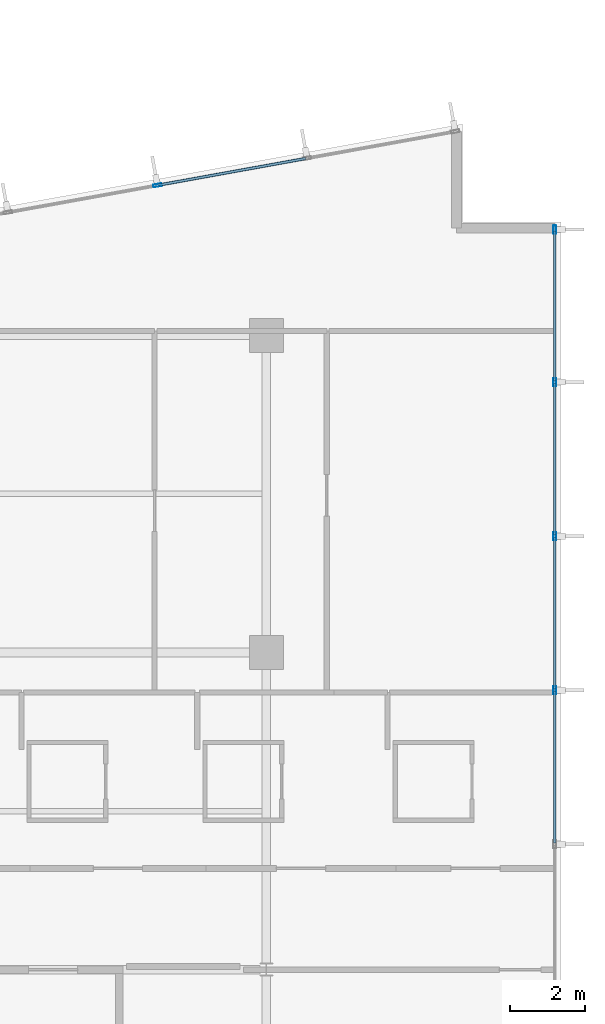
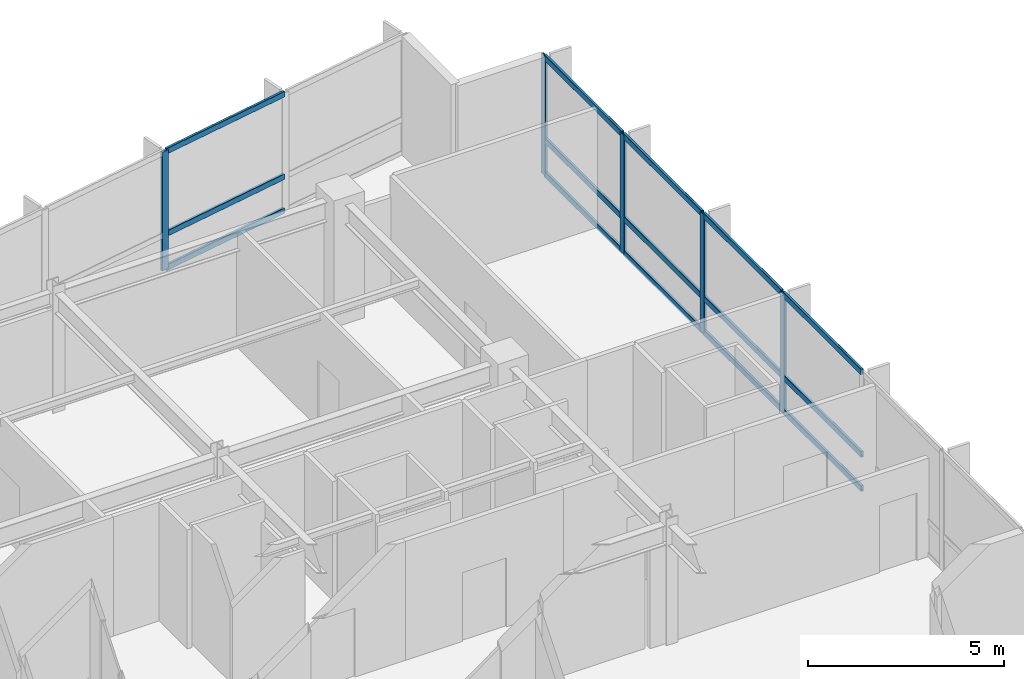
# One storey, part 8 of 20: 20 members, 2 elements without a shape of their own.
"""IFC4 building model written with IfcOpenShell, lengths in metres."""

from ifc_helpers import new_model, si_unit, direction, frame, origin, origin_2d, place, context, subcontext, project, spatial, hollow_rectangle, extrude, material, layer, layer_set, material_profile, profile_set, type_object, element, aggregate, save


model = new_model("IFC4")

# Units and contexts
model_context = context("Model", 3, precision=1e-05, world=origin(), true_north=direction((0.0, 1.0)))
body_context = subcontext(model_context, "Body", "Model", "MODEL_VIEW")
ifc_project = project(units=[si_unit("LENGTHUNIT", "METRE"), si_unit("AREAUNIT", "SQUARE_METRE"), si_unit("VOLUMEUNIT", "CUBIC_METRE"), si_unit("PLANEANGLEUNIT", "RADIAN"), si_unit("MASSUNIT", "GRAM", prefix="KILO")], contexts=[model_context])

# Site, building, storey
site_placement = place(None, origin())
site = spatial("IfcSite", under=ifc_project, at=site_placement, CompositionType="ELEMENT")
building_placement = place(site_placement, origin())
building = spatial("IfcBuilding", under=site, at=building_placement, Name="Varnakote Quay Hospital", CompositionType="ELEMENT")
storey_placement = place(building_placement, frame((0.0, 0.0, 58.050048828125)))
storey = spatial("IfcBuildingStorey", under=building, at=storey_placement, Name="L14", CompositionType="ELEMENT", Elevation=58.050048828125)

# Curtain wall, members
ifc_material_1 = material(Name="Anodised aluminium 6063-T6 Bronze", Category="aluminium")
ifc_layer = layer(ifc_material_1, 0.18994140625)
ifc_layer_set = layer_set([ifc_layer], Name="Anodised aluminium 6063-T6 Bronze")
curtain_wall_type = type_object("IfcCurtainWallType", Name="CW-SYS-2", PredefinedType="NOTDEFINED", material=ifc_layer_set)
curtain_wall_1_placement = place(storey_placement, origin())
curtain_wall_1 = element("IfcCurtainWall", 1, at=curtain_wall_1_placement, inside=storey, type_object=curtain_wall_type, Name="L14 Unitised Bronze Curtain Wall 1", PredefinedType="NOTDEFINED")
ifc_material_2 = material(Name="Anodised aluminium 6063-T6 Bronze", Category="aluminium")
ifc_material_profile_1 = material_profile(ifc_material_2, hollow_rectangle(XDim=0.074951171875, YDim=0.219970703125, WallThickness=0.00439453125, InnerFilletRadius=0.00439453125, OuterFilletRadius=0.009033203125, at=origin_2d()), Name="CW-MULL-220x75")
ifc_profile_set_1 = profile_set([ifc_material_profile_1], Name="Anodised aluminium 6063-T6 Bronze")
member_type_1 = type_object("IfcMemberType", Name="CW-MULL-220x75", PredefinedType="MULLION", material=ifc_profile_set_1)
member_1_placement = place(storey_placement, frame((58.0400390625, 19.39990234375, 0.0), z_axis=(0.0, 0.0, 1.0), x_axis=(-1.0, 0.0, 0.0)))
member_1 = element("IfcMember", 2, at=member_1_placement, type_object=member_type_1, Name="-2-L14-1 mullion 4", PredefinedType="MULLION", context=body_context, shape_type="SweptSolid", body=[
    extrude(hollow_rectangle(XDim=0.074951171875, YDim=0.219970703125, WallThickness=0.00439453125, InnerFilletRadius=0.00439453125, OuterFilletRadius=0.009033203125, at=origin_2d()), origin(), (0.0, 0.0, 1.0), 3.7099609375),
])
member_2_placement = place(storey_placement, frame((58.0400390625, 23.47998046875, 0.0), z_axis=(0.0, 0.0, 1.0), x_axis=(-1.0, 0.0, 0.0)))
member_2 = element("IfcMember", 3, at=member_2_placement, type_object=member_type_1, Name="-2-L14-1 mullion 5", PredefinedType="MULLION", context=body_context, shape_type="SweptSolid", body=[
    extrude(hollow_rectangle(XDim=0.074951171875, YDim=0.219970703125, WallThickness=0.00439453125, InnerFilletRadius=0.00439453125, OuterFilletRadius=0.009033203125, at=origin_2d()), origin(), (0.0, 0.0, 1.0), 3.7099609375),
])
member_3_placement = place(storey_placement, frame((58.0400390625, 27.56005859375, 0.0), z_axis=(0.0, 0.0, 1.0), x_axis=(-1.0, 0.0, 0.0)))
member_3 = element("IfcMember", 4, at=member_3_placement, type_object=member_type_1, Name="-2-L14-1 mullion 6", PredefinedType="MULLION", context=body_context, shape_type="SweptSolid", body=[
    extrude(hollow_rectangle(XDim=0.074951171875, YDim=0.219970703125, WallThickness=0.00439453125, InnerFilletRadius=0.00439453125, OuterFilletRadius=0.009033203125, at=origin_2d()), origin(), (0.0, 0.0, 1.0), 3.7099609375),
])
member_4_placement = place(storey_placement, frame((58.0400390625, 31.6025390625, 0.0), z_axis=(0.0, 0.0, 1.0), x_axis=(-1.0, 0.0, 0.0)))
member_4 = element("IfcMember", 5, at=member_4_placement, type_object=member_type_1, Name="-2-L14-1 mullion 7", PredefinedType="MULLION", context=body_context, shape_type="SweptSolid", body=[
    extrude(hollow_rectangle(XDim=0.074951171875, YDim=0.219970703125, WallThickness=0.00439453125, InnerFilletRadius=0.00439453125, OuterFilletRadius=0.009033203125, at=origin_2d()), origin(), (0.0, 0.0, 1.0), 3.7099609375),
])

# Curtain wall, member
curtain_wall_2_placement = place(storey_placement, origin())
curtain_wall_2 = element("IfcCurtainWall", 6, at=curtain_wall_2_placement, inside=storey, type_object=curtain_wall_type, Name="L14 Unitised Bronze Curtain Wall 2", PredefinedType="NOTDEFINED")
member_5_placement = place(storey_placement, frame((47.514892578125, 32.776123046875, 0.0), z_axis=(0.0, 0.0, 1.0), x_axis=(0.177846199098, -0.984058295766, 0.0)))
member_5 = element("IfcMember", 7, at=member_5_placement, type_object=member_type_1, Name="-2-L14-2 mullion 3", PredefinedType="MULLION", context=body_context, shape_type="SweptSolid", body=[
    extrude(hollow_rectangle(XDim=0.074951171875, YDim=0.219970703125, WallThickness=0.00439453125, InnerFilletRadius=0.00439453125, OuterFilletRadius=0.009033203125, at=origin_2d()), origin(), (0.0, 0.0, 1.0), 3.7099609375),
])

# Member
ifc_material_3 = material(Name="Anodised aluminium 6063-T6 Bronze", Category="aluminium")
ifc_material_profile_2 = material_profile(ifc_material_3, hollow_rectangle(XDim=0.074951171875, YDim=0.179931640625, WallThickness=0.004150390625, InnerFilletRadius=0.004150390625, OuterFilletRadius=0.00830078125, at=origin_2d()), Name="CW-TRAN-180x75")
ifc_profile_set_2 = profile_set([ifc_material_profile_2], Name="Anodised aluminium 6063-T6 Bronze")
member_type_2 = type_object("IfcMemberType", Name="CW-TRAN-180x75", PredefinedType="USERDEFINED", material=ifc_profile_set_2)
member_6_placement = place(storey_placement, frame((58.0400390625, 15.357421875, 0.037353515625), z_axis=(0.0, 1.0, 0.0), x_axis=(-1.0, 0.0, 0.0)))
member_6 = element("IfcMember", 8, at=member_6_placement, type_object=member_type_2, Name="-2-L14-1 transom 3.1", ObjectType="TRANSOM", PredefinedType="USERDEFINED", context=body_context, shape_type="SweptSolid", body=[
    extrude(hollow_rectangle(XDim=0.074951171875, YDim=0.179931640625, WallThickness=0.004150390625, InnerFilletRadius=0.004150390625, OuterFilletRadius=0.00830078125, at=origin_2d()), origin(), (0.0, 0.0, 1.0), 4.005126953125),
])

member_7_placement = place(storey_placement, frame((58.0400390625, 15.357421875, 1.099853515625), z_axis=(0.0, 1.0, 0.0), x_axis=(-1.0, 0.0, 0.0)))
member_7 = element("IfcMember", 9, at=member_7_placement, type_object=member_type_2, Name="-2-L14-1 transom 3.2", ObjectType="TRANSOM", PredefinedType="USERDEFINED", context=body_context, shape_type="SweptSolid", body=[
    extrude(hollow_rectangle(XDim=0.074951171875, YDim=0.179931640625, WallThickness=0.004150390625, InnerFilletRadius=0.004150390625, OuterFilletRadius=0.00830078125, at=origin_2d()), origin(), (0.0, 0.0, 1.0), 4.005126953125),
])

member_8_placement = place(storey_placement, frame((58.0400390625, 15.357421875, 3.67236328125), z_axis=(0.0, 1.0, 0.0), x_axis=(-1.0, 0.0, 0.0)))
member_8 = element("IfcMember", 10, at=member_8_placement, type_object=member_type_2, Name="-2-L14-1 transom 3.3", ObjectType="TRANSOM", PredefinedType="USERDEFINED", context=body_context, shape_type="SweptSolid", body=[
    extrude(hollow_rectangle(XDim=0.074951171875, YDim=0.179931640625, WallThickness=0.004150390625, InnerFilletRadius=0.004150390625, OuterFilletRadius=0.00830078125, at=origin_2d()), origin(), (0.0, 0.0, 1.0), 4.005126953125),
])

member_9_placement = place(storey_placement, frame((58.0400390625, 19.4375, 0.037353515625), z_axis=(0.0, 1.0, 0.0), x_axis=(-1.0, 0.0, 0.0)))
member_9 = element("IfcMember", 11, at=member_9_placement, type_object=member_type_2, Name="-2-L14-1 transom 4.1", ObjectType="TRANSOM", PredefinedType="USERDEFINED", context=body_context, shape_type="SweptSolid", body=[
    extrude(hollow_rectangle(XDim=0.074951171875, YDim=0.179931640625, WallThickness=0.004150390625, InnerFilletRadius=0.004150390625, OuterFilletRadius=0.00830078125, at=origin_2d()), origin(), (0.0, 0.0, 1.0), 4.0048828125),
])

member_10_placement = place(storey_placement, frame((58.0400390625, 19.4375, 1.099853515625), z_axis=(0.0, 1.0, 0.0), x_axis=(-1.0, 0.0, 0.0)))
member_10 = element("IfcMember", 12, at=member_10_placement, type_object=member_type_2, Name="-2-L14-1 transom 4.2", ObjectType="TRANSOM", PredefinedType="USERDEFINED", context=body_context, shape_type="SweptSolid", body=[
    extrude(hollow_rectangle(XDim=0.074951171875, YDim=0.179931640625, WallThickness=0.004150390625, InnerFilletRadius=0.004150390625, OuterFilletRadius=0.00830078125, at=origin_2d()), origin(), (0.0, 0.0, 1.0), 4.0048828125),
])

member_11_placement = place(storey_placement, frame((58.0400390625, 19.4375, 3.67236328125), z_axis=(0.0, 1.0, 0.0), x_axis=(-1.0, 0.0, 0.0)))
member_11 = element("IfcMember", 13, at=member_11_placement, type_object=member_type_2, Name="-2-L14-1 transom 4.3", ObjectType="TRANSOM", PredefinedType="USERDEFINED", context=body_context, shape_type="SweptSolid", body=[
    extrude(hollow_rectangle(XDim=0.074951171875, YDim=0.179931640625, WallThickness=0.004150390625, InnerFilletRadius=0.004150390625, OuterFilletRadius=0.00830078125, at=origin_2d()), origin(), (0.0, 0.0, 1.0), 4.0048828125),
])

member_12_placement = place(storey_placement, frame((58.0400390625, 23.517578125, 0.037353515625), z_axis=(0.0, 1.0, 0.0), x_axis=(-1.0, 0.0, 0.0)))
member_12 = element("IfcMember", 14, at=member_12_placement, type_object=member_type_2, Name="-2-L14-1 transom 5.1", ObjectType="TRANSOM", PredefinedType="USERDEFINED", context=body_context, shape_type="SweptSolid", body=[
    extrude(hollow_rectangle(XDim=0.074951171875, YDim=0.179931640625, WallThickness=0.004150390625, InnerFilletRadius=0.004150390625, OuterFilletRadius=0.00830078125, at=origin_2d()), origin(), (0.0, 0.0, 1.0), 4.0048828125),
])

member_13_placement = place(storey_placement, frame((58.0400390625, 23.517578125, 1.099853515625), z_axis=(0.0, 1.0, 0.0), x_axis=(-1.0, 0.0, 0.0)))
member_13 = element("IfcMember", 15, at=member_13_placement, type_object=member_type_2, Name="-2-L14-1 transom 5.2", ObjectType="TRANSOM", PredefinedType="USERDEFINED", context=body_context, shape_type="SweptSolid", body=[
    extrude(hollow_rectangle(XDim=0.074951171875, YDim=0.179931640625, WallThickness=0.004150390625, InnerFilletRadius=0.004150390625, OuterFilletRadius=0.00830078125, at=origin_2d()), origin(), (0.0, 0.0, 1.0), 4.0048828125),
])

member_14_placement = place(storey_placement, frame((58.0400390625, 23.517578125, 3.67236328125), z_axis=(0.0, 1.0, 0.0), x_axis=(-1.0, 0.0, 0.0)))
member_14 = element("IfcMember", 16, at=member_14_placement, type_object=member_type_2, Name="-2-L14-1 transom 5.3", ObjectType="TRANSOM", PredefinedType="USERDEFINED", context=body_context, shape_type="SweptSolid", body=[
    extrude(hollow_rectangle(XDim=0.074951171875, YDim=0.179931640625, WallThickness=0.004150390625, InnerFilletRadius=0.004150390625, OuterFilletRadius=0.00830078125, at=origin_2d()), origin(), (0.0, 0.0, 1.0), 4.0048828125),
])

member_15_placement = place(storey_placement, frame((58.0400390625, 27.597412109375, 0.037353515625), z_axis=(0.0, 1.0, 0.0), x_axis=(-1.0, 0.0, 0.0)))
member_15 = element("IfcMember", 17, at=member_15_placement, type_object=member_type_2, Name="-2-L14-1 transom 6.1", ObjectType="TRANSOM", PredefinedType="USERDEFINED", context=body_context, shape_type="SweptSolid", body=[
    extrude(hollow_rectangle(XDim=0.074951171875, YDim=0.179931640625, WallThickness=0.004150390625, InnerFilletRadius=0.004150390625, OuterFilletRadius=0.00830078125, at=origin_2d()), origin(), (0.0, 0.0, 1.0), 3.967529296875),
])

member_16_placement = place(storey_placement, frame((58.0400390625, 27.597412109375, 1.099853515625), z_axis=(0.0, 1.0, 0.0), x_axis=(-1.0, 0.0, 0.0)))
member_16 = element("IfcMember", 18, at=member_16_placement, type_object=member_type_2, Name="-2-L14-1 transom 6.2", ObjectType="TRANSOM", PredefinedType="USERDEFINED", context=body_context, shape_type="SweptSolid", body=[
    extrude(hollow_rectangle(XDim=0.074951171875, YDim=0.179931640625, WallThickness=0.004150390625, InnerFilletRadius=0.004150390625, OuterFilletRadius=0.00830078125, at=origin_2d()), origin(), (0.0, 0.0, 1.0), 3.967529296875),
])

member_17_placement = place(storey_placement, frame((58.0400390625, 27.597412109375, 3.67236328125), z_axis=(0.0, 1.0, 0.0), x_axis=(-1.0, 0.0, 0.0)))
member_17 = element("IfcMember", 19, at=member_17_placement, type_object=member_type_2, Name="-2-L14-1 transom 6.3", ObjectType="TRANSOM", PredefinedType="USERDEFINED", context=body_context, shape_type="SweptSolid", body=[
    extrude(hollow_rectangle(XDim=0.074951171875, YDim=0.179931640625, WallThickness=0.004150390625, InnerFilletRadius=0.004150390625, OuterFilletRadius=0.00830078125, at=origin_2d()), origin(), (0.0, 0.0, 1.0), 3.967529296875),
])

aggregate(curtain_wall_1, [member_1, member_2, member_3, member_4, member_6, member_7, member_8, member_9, member_10, member_11, member_12, member_13, member_14, member_15, member_16, member_17])

member_18_placement = place(storey_placement, frame((51.4404296875, 33.485595703125, 0.037353515625), z_axis=(-0.984065046829, -0.177808840079, 0.0), x_axis=(0.177808840079, -0.984065046829, 0.0)))
member_18 = element("IfcMember", 20, at=member_18_placement, type_object=member_type_2, Name="-2-L14-2 transom 2.1", ObjectType="TRANSOM", PredefinedType="USERDEFINED", context=body_context, shape_type="SweptSolid", body=[
    extrude(hollow_rectangle(XDim=0.074951171875, YDim=0.179931640625, WallThickness=0.004150390625, InnerFilletRadius=0.004150390625, OuterFilletRadius=0.00830078125, at=origin_2d()), origin(), (0.0, 0.0, 1.0), 3.95166015625),
])

member_19_placement = place(storey_placement, frame((51.4404296875, 33.485595703125, 1.099853515625), z_axis=(-0.984065046829, -0.177808840079, 0.0), x_axis=(0.177808840079, -0.984065046829, 0.0)))
member_19 = element("IfcMember", 21, at=member_19_placement, type_object=member_type_2, Name="-2-L14-2 transom 2.2", ObjectType="TRANSOM", PredefinedType="USERDEFINED", context=body_context, shape_type="SweptSolid", body=[
    extrude(hollow_rectangle(XDim=0.074951171875, YDim=0.179931640625, WallThickness=0.004150390625, InnerFilletRadius=0.004150390625, OuterFilletRadius=0.00830078125, at=origin_2d()), origin(), (0.0, 0.0, 1.0), 3.95166015625),
])

member_20_placement = place(storey_placement, frame((51.4404296875, 33.485595703125, 3.67236328125), z_axis=(-0.984065046829, -0.177808840079, 0.0), x_axis=(0.177808840079, -0.984065046829, 0.0)))
member_20 = element("IfcMember", 22, at=member_20_placement, type_object=member_type_2, Name="-2-L14-2 transom 2.3", ObjectType="TRANSOM", PredefinedType="USERDEFINED", context=body_context, shape_type="SweptSolid", body=[
    extrude(hollow_rectangle(XDim=0.074951171875, YDim=0.179931640625, WallThickness=0.004150390625, InnerFilletRadius=0.004150390625, OuterFilletRadius=0.00830078125, at=origin_2d()), origin(), (0.0, 0.0, 1.0), 3.95166015625),
])

aggregate(curtain_wall_2, [member_5, member_18, member_19, member_20])

save(model, "model.ifc")
